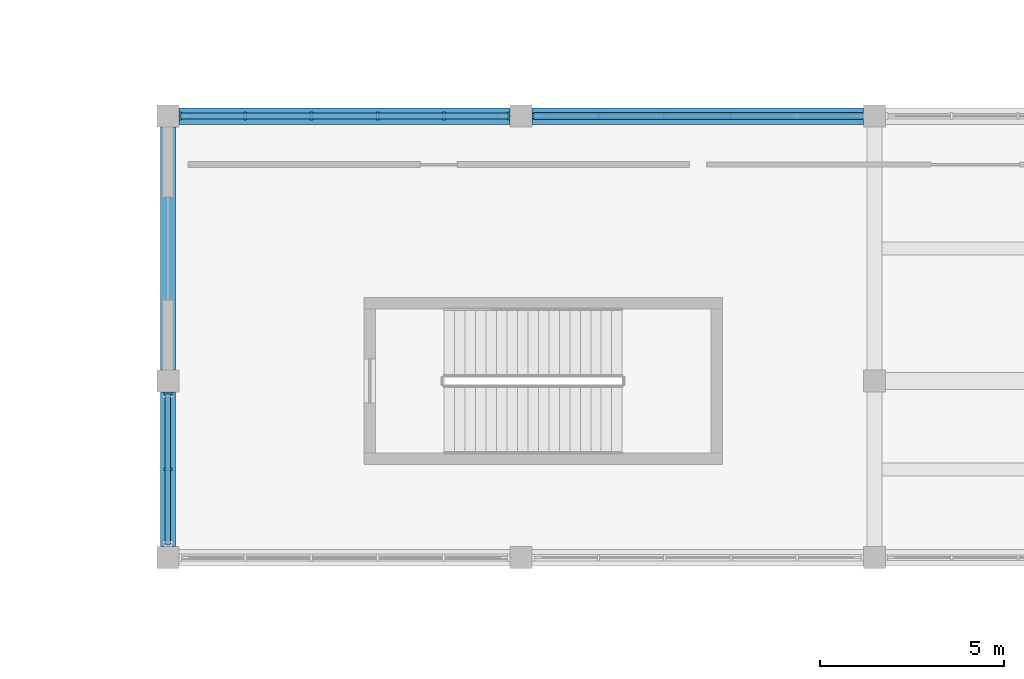
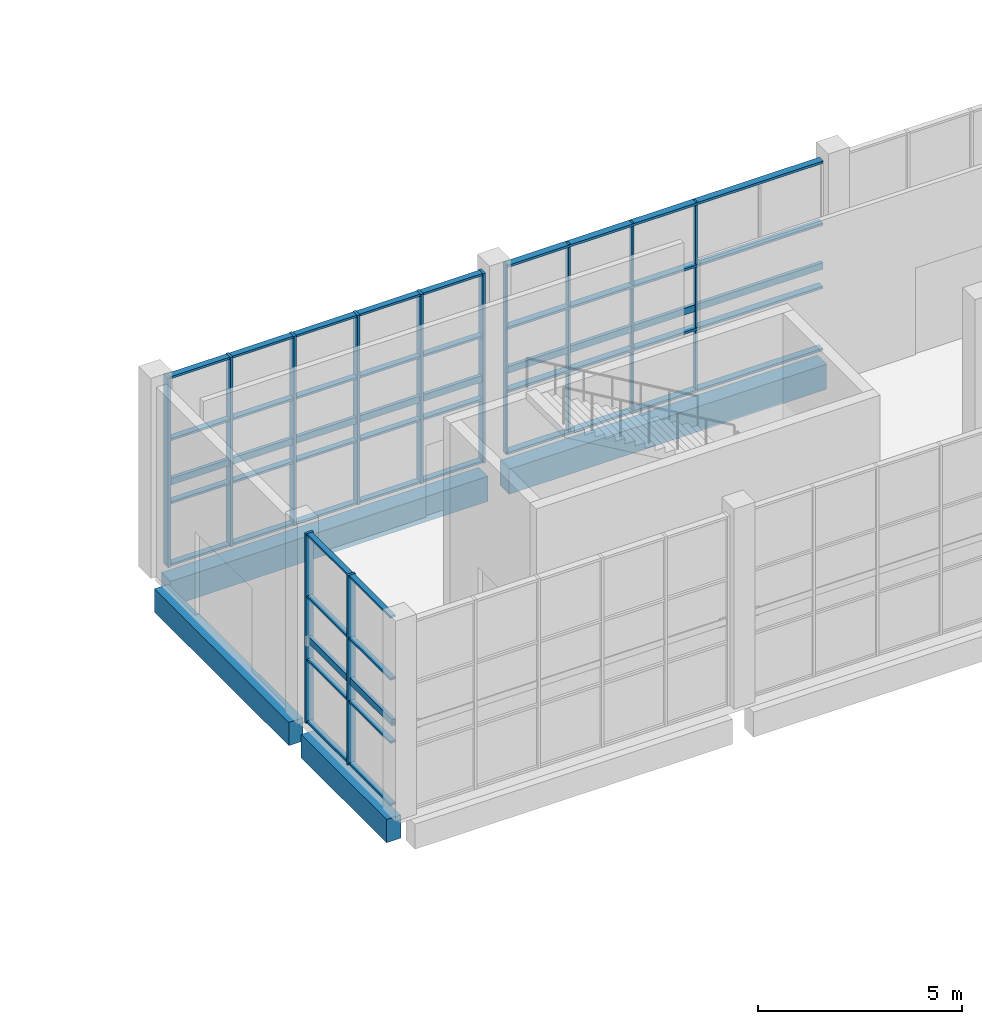
# One storey, part 9 of 84: 27 members, 4 beams, 3 elements without a shape of their own.
"""IFC4 building model written with IfcOpenShell, lengths in metres."""

from ifc_helpers import new_model, si_unit, direction, frame, origin, origin_2d, place, context, subcontext, project, spatial, rectangle, hollow_rectangle, extrude, material, material_profile, profile_set, type_object, element, aggregate, save


model = new_model("IFC4")

# Units and contexts
model_context = context("Model", 3, precision=1e-05, world=origin(), true_north=direction((0.0, 1.0)))
body_context = subcontext(model_context, "Body", "Model", "MODEL_VIEW")
ifc_project = project(units=[si_unit("LENGTHUNIT", "METRE"), si_unit("AREAUNIT", "SQUARE_METRE"), si_unit("VOLUMEUNIT", "CUBIC_METRE"), si_unit("PLANEANGLEUNIT", "RADIAN"), si_unit("MASSUNIT", "GRAM", prefix="KILO")], contexts=[model_context])

# Site, building, storey
site_placement = place(None, origin())
site = spatial("IfcSite", under=ifc_project, at=site_placement, CompositionType="ELEMENT")
building_placement = place(site_placement, origin())
building = spatial("IfcBuilding", under=site, at=building_placement, Name="Shalvenor Court Art Gallery", CompositionType="ELEMENT")
storey_placement = place(building_placement, origin())
storey = spatial("IfcBuildingStorey", under=building, at=storey_placement, Name="L00", CompositionType="ELEMENT", Elevation=0.0)

# Beams
ifc_material_1 = material(Name="Concrete C40/50", Category="concrete")
ifc_material_profile_1 = material_profile(ifc_material_1, rectangle(XDim=0.449951171875, YDim=0.75, at=origin_2d()), Name="RC 450x750")
ifc_profile_set_1 = profile_set([ifc_material_profile_1], Name="Concrete C40/50")
beam_type_1 = type_object("IfcBeamType", Name="B-04", PredefinedType="BEAM", material=ifc_profile_set_1)
for number, where, z_axis, x_axis, name in (
    (1, (48.300048828125, 57.60009765625, -0.715087890625), (1.0, 0.0, 0.0), (0.0, 1.0, 0.0), "L00 Girder BM-L00-B-04-0203"),
    (2, (57.89990234375, 57.60009765625, -0.715087890625), (1.0, 0.0, 0.0), (0.0, 1.0, 0.0), "L00 Girder BM-L00-B-04-0204"),
):
    element("IfcBeam", number, at=place(storey_placement, frame(where, z_axis=z_axis, x_axis=x_axis)), inside=storey, type_object=beam_type_1, Name=name, PredefinedType="BEAM", context=body_context, shape_type="SweptSolid", body=[
        extrude(rectangle(XDim=0.449951171875, YDim=0.75, at=origin_2d()), origin(), (0.0, 0.0, 1.0), 9.0),
    ])
ifc_material_2 = material(Name="Concrete C40/50", Category="concrete")
ifc_material_profile_2 = material_profile(ifc_material_2, rectangle(XDim=0.39990234375, YDim=0.699951171875, at=origin_2d()), Name="RC 400x700")
ifc_profile_set_2 = profile_set([ifc_material_profile_2], Name="Concrete C40/50")
beam_type_2 = type_object("IfcBeamType", Name="B-05", PredefinedType="BEAM", material=ifc_profile_set_2)
beam_1_placement = place(storey_placement, frame((48.0, 45.89990234375, -0.68994140625), z_axis=(0.0, 1.0, 0.0), x_axis=(-1.0, 0.0, 0.0)))
element("IfcBeam", 3, at=beam_1_placement, inside=storey, type_object=beam_type_2, Name="L00 Girder BM-L00-B-05-0044", PredefinedType="BEAM", context=body_context, shape_type="SweptSolid", body=[
    extrude(rectangle(XDim=0.39990234375, YDim=0.699951171875, at=origin_2d()), origin(), (0.0, 0.0, 1.0), 4.2001953125),
])
beam_2_placement = place(storey_placement, frame((48.0, 50.699951171875, -0.68994140625), z_axis=(0.0, 1.0, 0.0), x_axis=(-1.0, 0.0, 0.0)))
element("IfcBeam", 4, at=beam_2_placement, inside=storey, type_object=beam_type_2, Name="L00 Girder BM-L00-B-05-0045", PredefinedType="BEAM", context=body_context, shape_type="SweptSolid", body=[
    extrude(rectangle(XDim=0.39990234375, YDim=0.699951171875, at=origin_2d()), origin(), (0.0, 0.0, 1.0), 6.60009765625),
])

# Curtain wall, members
ifc_material_3 = material(Name="Anodised aluminium and low-iron glass curtain wall", Category="aluminium")
curtain_wall_type_1 = type_object("IfcCurtainWallType", Name="CW-5x3-90-57-426", PredefinedType="USERDEFINED", material=ifc_material_3)
curtain_wall_1_placement = place(storey_placement, origin())
curtain_wall_1 = element("IfcCurtainWall", 5, at=curtain_wall_1_placement, inside=storey, type_object=curtain_wall_type_1, Name="L00 V6 Curtain Wall CW-L00-190", ObjectType="CURTAIN WALL", PredefinedType="USERDEFINED")
ifc_material_4 = material(Name="Anodised aluminium mullion", Category="aluminium")
ifc_material_profile_3 = material_profile(ifc_material_4, rectangle(XDim=0.074951171875, YDim=0.219970703125, at=origin_2d()), Name="CWM-04")
ifc_profile_set_3 = profile_set([ifc_material_profile_3], Name="Anodised aluminium mullion")
member_type_1 = type_object("IfcMemberType", Name="CWM-04", PredefinedType="MULLION", material=ifc_profile_set_3)
member_1_placement = place(storey_placement, frame((48.33740234375, 57.60009765625, 0.0), z_axis=(0.0, 0.0, 1.0), x_axis=(1.0, 0.0, 0.0)))
member_1 = element("IfcMember", 6, at=member_1_placement, type_object=member_type_1, Name="CW-5x3-90-57-426 mullion 1", PredefinedType="MULLION", context=body_context, shape_type="SweptSolid", body=[
    extrude(rectangle(XDim=0.074951171875, YDim=0.219970703125, at=origin_2d()), origin(), (0.0, 0.0, 1.0), 5.679931640625),
])
member_2_placement = place(storey_placement, frame((50.10009765625, 57.60009765625, 0.0), z_axis=(0.0, 0.0, 1.0), x_axis=(1.0, 0.0, 0.0)))
member_2 = element("IfcMember", 7, at=member_2_placement, type_object=member_type_1, Name="CW-5x3-90-57-426 mullion 2", PredefinedType="MULLION", context=body_context, shape_type="SweptSolid", body=[
    extrude(rectangle(XDim=0.074951171875, YDim=0.219970703125, at=origin_2d()), origin(), (0.0, 0.0, 1.0), 5.679931640625),
])
member_3_placement = place(storey_placement, frame((51.89990234375, 57.60009765625, 0.0), z_axis=(0.0, 0.0, 1.0), x_axis=(1.0, 0.0, 0.0)))
member_3 = element("IfcMember", 8, at=member_3_placement, type_object=member_type_1, Name="CW-5x3-90-57-426 mullion 3", PredefinedType="MULLION", context=body_context, shape_type="SweptSolid", body=[
    extrude(rectangle(XDim=0.074951171875, YDim=0.219970703125, at=origin_2d()), origin(), (0.0, 0.0, 1.0), 5.679931640625),
])
member_4_placement = place(storey_placement, frame((53.699951171875, 57.60009765625, 0.0), z_axis=(0.0, 0.0, 1.0), x_axis=(1.0, 0.0, 0.0)))
member_4 = element("IfcMember", 9, at=member_4_placement, type_object=member_type_1, Name="CW-5x3-90-57-426 mullion 4", PredefinedType="MULLION", context=body_context, shape_type="SweptSolid", body=[
    extrude(rectangle(XDim=0.074951171875, YDim=0.219970703125, at=origin_2d()), origin(), (0.0, 0.0, 1.0), 5.679931640625),
])
member_5_placement = place(storey_placement, frame((55.5, 57.60009765625, 0.0), z_axis=(0.0, 0.0, 1.0), x_axis=(1.0, 0.0, 0.0)))
member_5 = element("IfcMember", 10, at=member_5_placement, type_object=member_type_1, Name="CW-5x3-90-57-426 mullion 5", PredefinedType="MULLION", context=body_context, shape_type="SweptSolid", body=[
    extrude(rectangle(XDim=0.074951171875, YDim=0.219970703125, at=origin_2d()), origin(), (0.0, 0.0, 1.0), 5.679931640625),
])
member_6_placement = place(storey_placement, frame((57.262451171875, 57.60009765625, 0.0), z_axis=(0.0, 0.0, 1.0), x_axis=(1.0, 0.0, 0.0)))
member_6 = element("IfcMember", 11, at=member_6_placement, type_object=member_type_1, Name="CW-5x3-90-57-426 mullion 6", PredefinedType="MULLION", context=body_context, shape_type="SweptSolid", body=[
    extrude(rectangle(XDim=0.074951171875, YDim=0.219970703125, at=origin_2d()), origin(), (0.0, 0.0, 1.0), 5.679931640625),
])

ifc_material_5 = material(Name="Anodised aluminium and low-iron glass curtain wall", Category="aluminium")
curtain_wall_type_2 = type_object("IfcCurtainWallType", Name="CW-2x3-42-57-416", PredefinedType="USERDEFINED", material=ifc_material_5)
curtain_wall_2_placement = place(storey_placement, origin())
curtain_wall_2 = element("IfcCurtainWall", 12, at=curtain_wall_2_placement, inside=storey, type_object=curtain_wall_type_2, Name="L00 V6 Curtain Wall CW-L00-198", ObjectType="CURTAIN WALL", PredefinedType="USERDEFINED")
member_7_placement = place(storey_placement, frame((48.0, 48.0, 0.0), z_axis=(0.0, 0.0, 1.0), x_axis=(0.0, 1.0, 0.0)))
member_7 = element("IfcMember", 13, at=member_7_placement, type_object=member_type_1, Name="CW-2x3-42-57-416 mullion 2", PredefinedType="MULLION", context=body_context, shape_type="SweptSolid", body=[
    extrude(rectangle(XDim=0.074951171875, YDim=0.219970703125, at=origin_2d()), origin(), (0.0, 0.0, 1.0), 5.679931640625),
])
member_8_placement = place(storey_placement, frame((48.0, 50.0625, 0.0), z_axis=(0.0, 0.0, 1.0), x_axis=(0.0, 1.0, 0.0)))
member_8 = element("IfcMember", 14, at=member_8_placement, type_object=member_type_1, Name="CW-2x3-42-57-416 mullion 3", PredefinedType="MULLION", context=body_context, shape_type="SweptSolid", body=[
    extrude(rectangle(XDim=0.074951171875, YDim=0.219970703125, at=origin_2d()), origin(), (0.0, 0.0, 1.0), 5.679931640625),
])

ifc_material_6 = material(Name="Anodised aluminium and low-iron glass curtain wall", Category="aluminium")
curtain_wall_type_3 = type_object("IfcCurtainWallType", Name="CW-5x3-90-57-646", PredefinedType="USERDEFINED", material=ifc_material_6)
curtain_wall_3_placement = place(storey_placement, origin())
curtain_wall_3 = element("IfcCurtainWall", 15, at=curtain_wall_3_placement, inside=storey, type_object=curtain_wall_type_3, Name="L00 V6 Curtain Wall CW-L00-191", ObjectType="CURTAIN WALL", PredefinedType="USERDEFINED")
ifc_material_7 = material(Name="Anodised aluminium mullion", Category="aluminium")
ifc_material_profile_4 = material_profile(ifc_material_7, rectangle(XDim=0.054931640625, YDim=0.139892578125, at=origin_2d()), Name="CWM-06")
ifc_profile_set_4 = profile_set([ifc_material_profile_4], Name="Anodised aluminium mullion")
member_type_2 = type_object("IfcMemberType", Name="CWM-06", PredefinedType="MULLION", material=ifc_profile_set_4)
member_9_placement = place(storey_placement, frame((57.927490234375, 57.60009765625, 0.0), z_axis=(0.0, 0.0, 1.0), x_axis=(1.0, 0.0, 0.0)))
member_9 = element("IfcMember", 16, at=member_9_placement, type_object=member_type_2, Name="CW-5x3-90-57-646 mullion 1", PredefinedType="MULLION", context=body_context, shape_type="SweptSolid", body=[
    extrude(rectangle(XDim=0.054931640625, YDim=0.139892578125, at=origin_2d()), origin(), (0.0, 0.0, 1.0), 5.679931640625),
])
member_10_placement = place(storey_placement, frame((59.699951171875, 57.60009765625, 0.0), z_axis=(0.0, 0.0, 1.0), x_axis=(1.0, 0.0, 0.0)))
member_10 = element("IfcMember", 17, at=member_10_placement, type_object=member_type_2, Name="CW-5x3-90-57-646 mullion 2", PredefinedType="MULLION", context=body_context, shape_type="SweptSolid", body=[
    extrude(rectangle(XDim=0.054931640625, YDim=0.139892578125, at=origin_2d()), origin(), (0.0, 0.0, 1.0), 5.679931640625),
])
member_11_placement = place(storey_placement, frame((61.5, 57.60009765625, 0.0), z_axis=(0.0, 0.0, 1.0), x_axis=(1.0, 0.0, 0.0)))
member_11 = element("IfcMember", 18, at=member_11_placement, type_object=member_type_2, Name="CW-5x3-90-57-646 mullion 3", PredefinedType="MULLION", context=body_context, shape_type="SweptSolid", body=[
    extrude(rectangle(XDim=0.054931640625, YDim=0.139892578125, at=origin_2d()), origin(), (0.0, 0.0, 1.0), 5.679931640625),
])
member_12_placement = place(storey_placement, frame((63.300048828125, 57.60009765625, 0.0), z_axis=(0.0, 0.0, 1.0), x_axis=(1.0, 0.0, 0.0)))
member_12 = element("IfcMember", 19, at=member_12_placement, type_object=member_type_2, Name="CW-5x3-90-57-646 mullion 4", PredefinedType="MULLION", context=body_context, shape_type="SweptSolid", body=[
    extrude(rectangle(XDim=0.054931640625, YDim=0.139892578125, at=origin_2d()), origin(), (0.0, 0.0, 1.0), 5.679931640625),
])

# Member
ifc_material_8 = material(Name="Anodised aluminium transom", Category="aluminium")
ifc_material_profile_5 = material_profile(ifc_material_8, rectangle(XDim=0.14990234375, YDim=0.06005859375, at=origin_2d()), Name="CWT-01")
ifc_profile_set_5 = profile_set([ifc_material_profile_5], Name="Anodised aluminium transom")
member_type_3 = type_object("IfcMemberType", Name="CWT-01", PredefinedType="USERDEFINED", material=ifc_profile_set_5)
member_13_placement = place(storey_placement, frame((48.0, 45.9375, 0.030029296875), z_axis=(0.0, 1.0, 0.0), x_axis=(-1.0, 0.0, 0.0)))
member_13 = element("IfcMember", 20, at=member_13_placement, type_object=member_type_3, Name="CW-2x3-42-57-416 transom 1", ObjectType="TRANSOM", PredefinedType="USERDEFINED", context=body_context, shape_type="SweptSolid", body=[
    extrude(rectangle(XDim=0.14990234375, YDim=0.06005859375, at=origin_2d()), origin(), (0.0, 0.0, 1.0), 4.125),
])

member_14_placement = place(storey_placement, frame((48.0, 45.9375, 1.893310546875), z_axis=(0.0, 1.0, 0.0), x_axis=(-1.0, 0.0, 0.0)))
member_14 = element("IfcMember", 21, at=member_14_placement, type_object=member_type_3, Name="CW-2x3-42-57-416 transom 2", ObjectType="TRANSOM", PredefinedType="USERDEFINED", context=body_context, shape_type="SweptSolid", body=[
    extrude(rectangle(XDim=0.14990234375, YDim=0.06005859375, at=origin_2d()), origin(), (0.0, 0.0, 1.0), 4.125),
])

member_15_placement = place(storey_placement, frame((48.0, 45.9375, 3.78662109375), z_axis=(0.0, 1.0, 0.0), x_axis=(-1.0, 0.0, 0.0)))
member_15 = element("IfcMember", 22, at=member_15_placement, type_object=member_type_3, Name="CW-2x3-42-57-416 transom 3", ObjectType="TRANSOM", PredefinedType="USERDEFINED", context=body_context, shape_type="SweptSolid", body=[
    extrude(rectangle(XDim=0.14990234375, YDim=0.06005859375, at=origin_2d()), origin(), (0.0, 0.0, 1.0), 4.125),
])

member_16_placement = place(storey_placement, frame((48.0, 45.9375, 5.64990234375), z_axis=(0.0, 1.0, 0.0), x_axis=(-1.0, 0.0, 0.0)))
member_16 = element("IfcMember", 23, at=member_16_placement, type_object=member_type_3, Name="CW-2x3-42-57-416 transom 4", ObjectType="TRANSOM", PredefinedType="USERDEFINED", context=body_context, shape_type="SweptSolid", body=[
    extrude(rectangle(XDim=0.14990234375, YDim=0.06005859375, at=origin_2d()), origin(), (0.0, 0.0, 1.0), 4.125),
])

aggregate(curtain_wall_2, [member_7, member_8, member_13, member_14, member_15, member_16])

ifc_material_9 = material(Name="Anodised aluminium transom", Category="aluminium")
ifc_material_profile_6 = material_profile(ifc_material_9, rectangle(XDim=0.169921875, YDim=0.06494140625, at=origin_2d()), Name="CWT-02")
ifc_profile_set_6 = profile_set([ifc_material_profile_6], Name="Anodised aluminium transom")
member_type_4 = type_object("IfcMemberType", Name="CWT-02", PredefinedType="USERDEFINED", material=ifc_profile_set_6)
member_17_placement = place(storey_placement, frame((48.33740234375, 57.60009765625, 0.032470703125), z_axis=(1.0, 0.0, 0.0), x_axis=(0.0, 1.0, 0.0)))
member_17 = element("IfcMember", 24, at=member_17_placement, type_object=member_type_4, Name="CW-5x3-90-57-426 transom 1", ObjectType="TRANSOM", PredefinedType="USERDEFINED", context=body_context, shape_type="SweptSolid", body=[
    extrude(rectangle(XDim=0.169921875, YDim=0.06494140625, at=origin_2d()), origin(), (0.0, 0.0, 1.0), 8.925048828125),
])

member_18_placement = place(storey_placement, frame((48.33740234375, 57.60009765625, 1.893310546875), z_axis=(1.0, 0.0, 0.0), x_axis=(0.0, 1.0, 0.0)))
member_18 = element("IfcMember", 25, at=member_18_placement, type_object=member_type_4, Name="CW-5x3-90-57-426 transom 2", ObjectType="TRANSOM", PredefinedType="USERDEFINED", context=body_context, shape_type="SweptSolid", body=[
    extrude(rectangle(XDim=0.169921875, YDim=0.06494140625, at=origin_2d()), origin(), (0.0, 0.0, 1.0), 8.925048828125),
])

member_19_placement = place(storey_placement, frame((48.33740234375, 57.60009765625, 3.78662109375), z_axis=(1.0, 0.0, 0.0), x_axis=(0.0, 1.0, 0.0)))
member_19 = element("IfcMember", 26, at=member_19_placement, type_object=member_type_4, Name="CW-5x3-90-57-426 transom 3", ObjectType="TRANSOM", PredefinedType="USERDEFINED", context=body_context, shape_type="SweptSolid", body=[
    extrude(rectangle(XDim=0.169921875, YDim=0.06494140625, at=origin_2d()), origin(), (0.0, 0.0, 1.0), 8.925048828125),
])

member_20_placement = place(storey_placement, frame((48.33740234375, 57.60009765625, 5.6474609375), z_axis=(1.0, 0.0, 0.0), x_axis=(0.0, 1.0, 0.0)))
member_20 = element("IfcMember", 27, at=member_20_placement, type_object=member_type_4, Name="CW-5x3-90-57-426 transom 4", ObjectType="TRANSOM", PredefinedType="USERDEFINED", context=body_context, shape_type="SweptSolid", body=[
    extrude(rectangle(XDim=0.169921875, YDim=0.06494140625, at=origin_2d()), origin(), (0.0, 0.0, 1.0), 8.925048828125),
])

aggregate(curtain_wall_1, [member_1, member_2, member_3, member_4, member_5, member_6, member_17, member_18, member_19, member_20])

ifc_material_10 = material(Name="Anodised aluminium transom", Category="aluminium")
ifc_material_profile_7 = material_profile(ifc_material_10, rectangle(XDim=0.18994140625, YDim=0.070068359375, at=origin_2d()), Name="CWT-04")
ifc_profile_set_7 = profile_set([ifc_material_profile_7], Name="Anodised aluminium transom")
member_type_5 = type_object("IfcMemberType", Name="CWT-04", PredefinedType="USERDEFINED", material=ifc_profile_set_7)
member_21_placement = place(storey_placement, frame((57.927490234375, 57.60009765625, 0.034912109375), z_axis=(1.0, 0.0, 0.0), x_axis=(0.0, 1.0, 0.0)))
member_21 = element("IfcMember", 28, at=member_21_placement, type_object=member_type_5, Name="CW-5x3-90-57-646 transom 1", ObjectType="TRANSOM", PredefinedType="USERDEFINED", context=body_context, shape_type="SweptSolid", body=[
    extrude(rectangle(XDim=0.18994140625, YDim=0.070068359375, at=origin_2d()), origin(), (0.0, 0.0, 1.0), 8.945068359375),
])

member_22_placement = place(storey_placement, frame((57.927490234375, 57.60009765625, 1.893310546875), z_axis=(1.0, 0.0, 0.0), x_axis=(0.0, 1.0, 0.0)))
member_22 = element("IfcMember", 29, at=member_22_placement, type_object=member_type_5, Name="CW-5x3-90-57-646 transom 2", ObjectType="TRANSOM", PredefinedType="USERDEFINED", context=body_context, shape_type="SweptSolid", body=[
    extrude(rectangle(XDim=0.18994140625, YDim=0.070068359375, at=origin_2d()), origin(), (0.0, 0.0, 1.0), 8.945068359375),
])

member_23_placement = place(storey_placement, frame((57.927490234375, 57.60009765625, 3.78662109375), z_axis=(1.0, 0.0, 0.0), x_axis=(0.0, 1.0, 0.0)))
member_23 = element("IfcMember", 30, at=member_23_placement, type_object=member_type_5, Name="CW-5x3-90-57-646 transom 3", ObjectType="TRANSOM", PredefinedType="USERDEFINED", context=body_context, shape_type="SweptSolid", body=[
    extrude(rectangle(XDim=0.18994140625, YDim=0.070068359375, at=origin_2d()), origin(), (0.0, 0.0, 1.0), 8.945068359375),
])

member_24_placement = place(storey_placement, frame((57.927490234375, 57.60009765625, 5.64501953125), z_axis=(1.0, 0.0, 0.0), x_axis=(0.0, 1.0, 0.0)))
member_24 = element("IfcMember", 31, at=member_24_placement, type_object=member_type_5, Name="CW-5x3-90-57-646 transom 4", ObjectType="TRANSOM", PredefinedType="USERDEFINED", context=body_context, shape_type="SweptSolid", body=[
    extrude(rectangle(XDim=0.18994140625, YDim=0.070068359375, at=origin_2d()), origin(), (0.0, 0.0, 1.0), 8.945068359375),
])

aggregate(curtain_wall_3, [member_9, member_10, member_11, member_12, member_21, member_22, member_23, member_24])

# Members
ifc_material_11 = material(Name="Steel S355", Category="steel")
ifc_material_profile_8 = material_profile(ifc_material_11, hollow_rectangle(XDim=0.10009765625, YDim=0.199951171875, WallThickness=0.008056640625, at=origin_2d()), Name="RHS 200x100x8.0")
ifc_profile_set_8 = profile_set([ifc_material_profile_8], Name="Steel S355")
member_type_6 = type_object("IfcMemberType", Name="FR-01", PredefinedType="MEMBER", material=ifc_profile_set_8)
for number, where, z_axis, x_axis, name in (
    (32, (48.300048828125, 57.60009765625, 2.5), (1.0, 0.0, 0.0), (0.0, 1.0, 0.0), "L00 Cloister Canopy Rail 190"),
    (33, (57.89990234375, 57.60009765625, 2.5), (1.0, 0.0, 0.0), (0.0, 1.0, 0.0), "L00 Cloister Canopy Rail 191"),
):
    element("IfcMember", number, at=place(storey_placement, frame(where, z_axis=z_axis, x_axis=x_axis)), inside=storey, type_object=member_type_6, Name=name, PredefinedType="MEMBER", context=body_context, shape_type="SweptSolid", body=[
        extrude(hollow_rectangle(XDim=0.10009765625, YDim=0.199951171875, WallThickness=0.008056640625, at=origin_2d()), origin(), (0.0, 0.0, 1.0), 9.0),
    ])
member_25_placement = place(storey_placement, frame((48.0, 45.89990234375, 2.5), z_axis=(0.0, 1.0, 0.0), x_axis=(-1.0, 0.0, 0.0)))
element("IfcMember", 34, at=member_25_placement, inside=storey, type_object=member_type_6, Name="L00 Cloister Canopy Rail 198", PredefinedType="MEMBER", context=body_context, shape_type="SweptSolid", body=[
    extrude(hollow_rectangle(XDim=0.10009765625, YDim=0.199951171875, WallThickness=0.008056640625, at=origin_2d()), origin(), (0.0, 0.0, 1.0), 4.2001953125),
])

save(model, "model.ifc")
